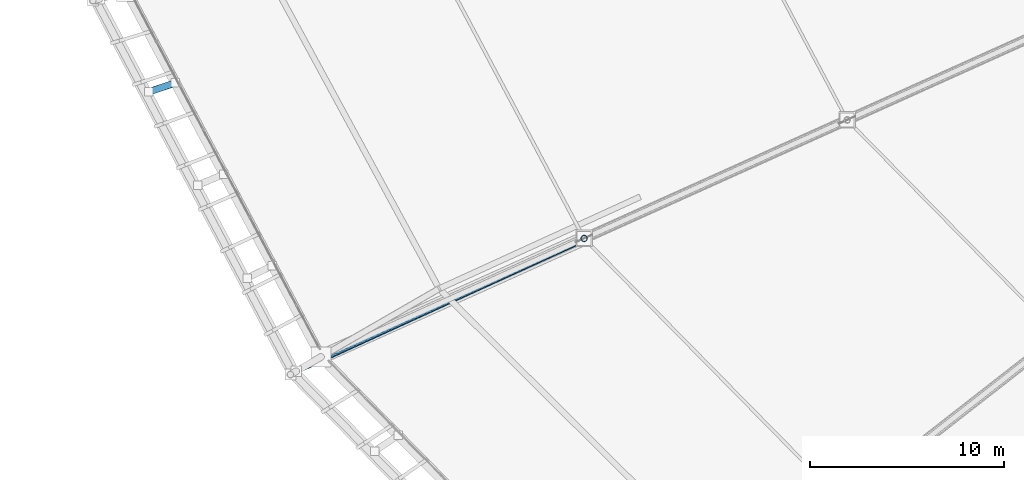
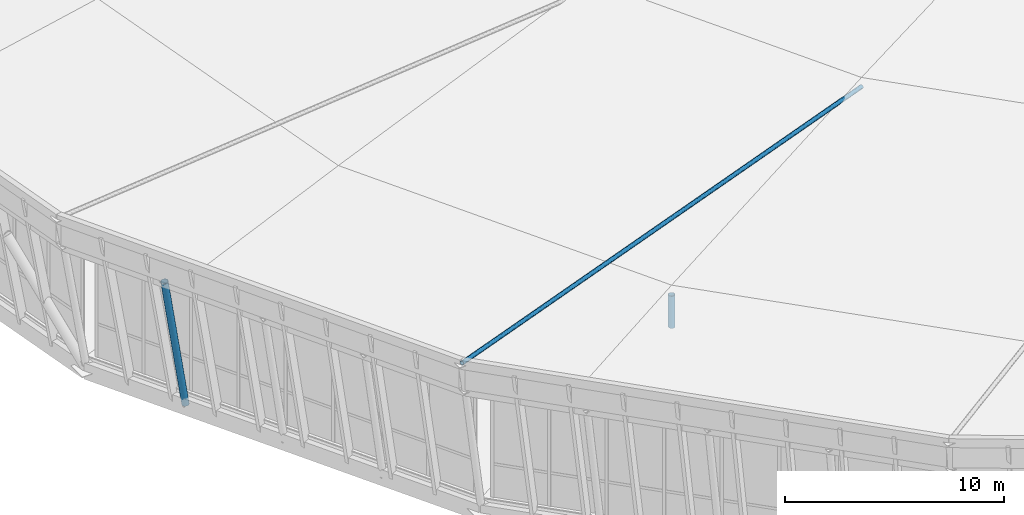
# One storey, part 6 of 115: 3 members.
"""IFC4 building model written with IfcOpenShell, lengths in metres."""

from ifc_helpers import new_model, si_unit, direction, frame, origin, origin_2d, place, context, subcontext, project, spatial, hollow_circle, extrude, material, material_profile, profile_set, type_object, element, save


model = new_model("IFC4")

# Units and contexts
model_context = context("Model", 3, precision=1e-05, world=origin(), true_north=direction((0.0, 1.0)))
body_context = subcontext(model_context, "Body", "Model", "MODEL_VIEW")
ifc_project = project(units=[si_unit("LENGTHUNIT", "METRE"), si_unit("AREAUNIT", "SQUARE_METRE"), si_unit("VOLUMEUNIT", "CUBIC_METRE"), si_unit("PLANEANGLEUNIT", "RADIAN"), si_unit("MASSUNIT", "GRAM", prefix="KILO")], contexts=[model_context])

# Site, building, storey
site_placement = place(None, origin())
site = spatial("IfcSite", under=ifc_project, at=site_placement, CompositionType="ELEMENT")
building_placement = place(site_placement, origin())
building = spatial("IfcBuilding", under=site, at=building_placement, Name="Zlatoyarsky Gate Stadium", CompositionType="ELEMENT")
storey_placement = place(building_placement, frame((0.0, 0.0, 31.800048828125)))
storey = spatial("IfcBuildingStorey", under=building, at=storey_placement, Name="RF", CompositionType="ELEMENT", Elevation=31.800048828125)

# Members
ifc_material = material(Name="Steel S355", Category="steel")
ifc_material_profile_1 = material_profile(ifc_material, hollow_circle(Radius=0.109619140625, WallThickness=0.012451171875, at=origin_2d()), Name="CHS 219.1X12.5")
ifc_profile_set_1 = profile_set([ifc_material_profile_1], Name="Steel S355")
member_type_1 = type_object("IfcMemberType", Name="STEEL CANOPY WIND BRACE CHS 219.1X12.5", PredefinedType="BRACE", material=ifc_profile_set_1)
member_1_placement = place(storey_placement, frame((22.80029296875, 40.077880859375, 8.849853515625), z_axis=(0.906447764007, 0.414552111978, -0.080616360509), x_axis=(-0.415905800363, 0.909407700223, 0.0)))
element("IfcMember", 1, at=member_1_placement, inside=storey, type_object=member_type_1, Name="Crown fascia tie brace 14", PredefinedType="BRACE", context=body_context, shape_type="SweptSolid", body=[
    extrude(hollow_circle(Radius=0.109619140625, WallThickness=0.012451171875, at=origin_2d()), origin(), (0.0, 0.0, 1.0), 31.62890625),
])
ifc_material_profile_2 = material_profile(ifc_material, hollow_circle(Radius=0.177734375, WallThickness=0.02001953125, at=origin_2d()), Name="CHS 355.6X20")
ifc_profile_set_2 = profile_set([ifc_material_profile_2], Name="Steel S355")
member_type_2 = type_object("IfcMemberType", Name="STEEL LEANING RIB RING STRUT CHS 355.6X20", PredefinedType="STRUT", material=ifc_profile_set_2)
member_2_placement = place(storey_placement, frame((16.87890625, 55.100341796875, -0.449951171875), z_axis=(-0.178471233777, -0.060542035994, 0.982080791275), x_axis=(0.321245410265, -0.946995980131, 0.0)))
element("IfcMember", 2, at=member_2_placement, inside=storey, type_object=member_type_2, Name="Outward-leaning bowl louvre fin rib RF 13-1", PredefinedType="STRUT", context=body_context, shape_type="SweptSolid", body=[
    extrude(hollow_circle(Radius=0.177734375, WallThickness=0.02001953125, at=origin_2d()), origin(), (0.0, 0.0, 1.0), 7.738525390625),
])
ifc_material_profile_3 = material_profile(ifc_material, hollow_circle(Radius=0.161865234375, WallThickness=0.01611328125, at=origin_2d()), Name="CHS 323.9X16")
ifc_profile_set_3 = profile_set([ifc_material_profile_3], Name="Steel S355")
member_type_3 = type_object("IfcMemberType", Name="STEEL TRUSS WEB STRUT CHS 323.9X16", PredefinedType="STRUT", material=ifc_profile_set_3)
member_3_placement = place(storey_placement, frame((37.921875, 47.087890625, 1.349853515625), z_axis=(0.0, 0.0, 1.0), x_axis=(1.0, 0.0, 0.0)))
element("IfcMember", 3, at=member_3_placement, inside=storey, type_object=member_type_3, Name="Radial truss R15 web strut 1", PredefinedType="STRUT", context=body_context, shape_type="SweptSolid", body=[
    extrude(hollow_circle(Radius=0.161865234375, WallThickness=0.01611328125, at=origin_2d()), origin(), (0.0, 0.0, 1.0), 1.800048828125),
])

save(model, "model.ifc")
